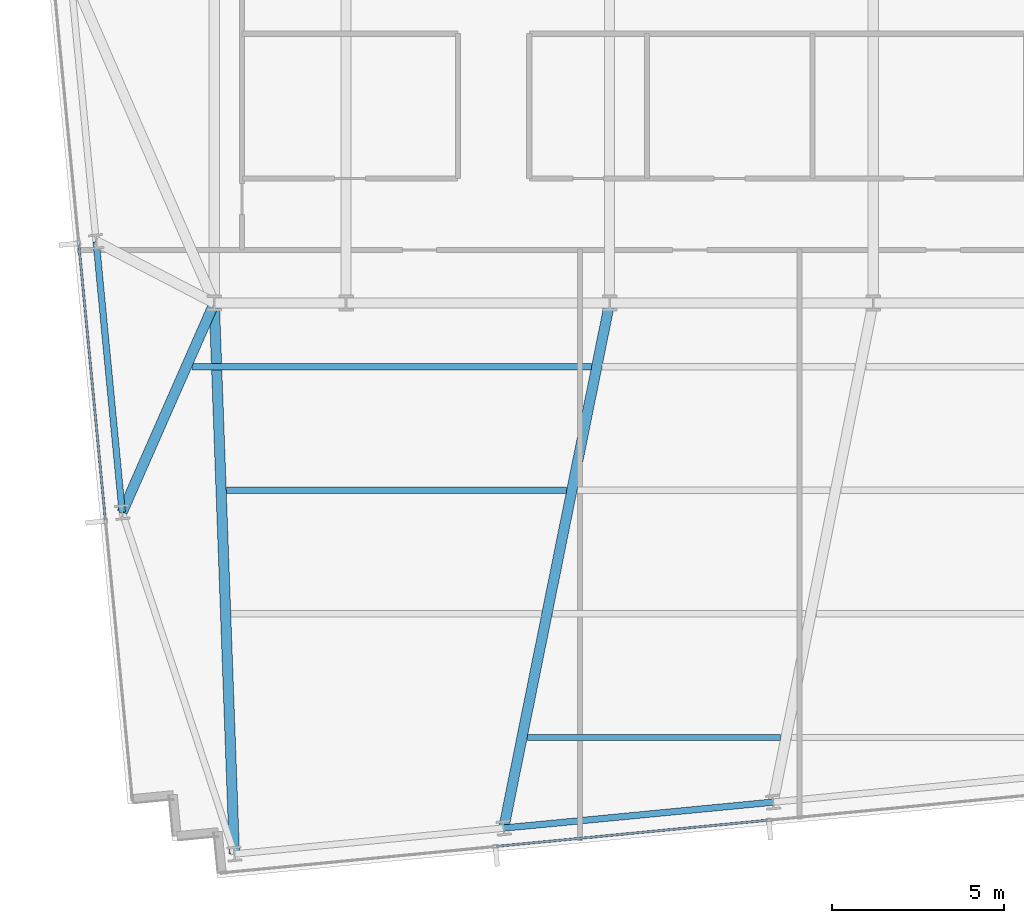
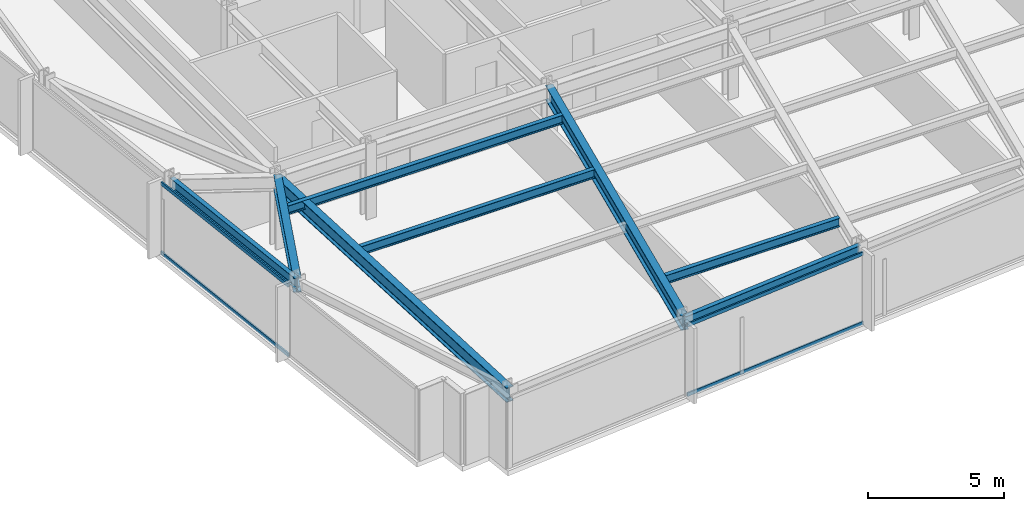
# One storey, part 3 of 33: 8 beams, 4 members, 2 elements without a shape of their own.
"""IFC4 building model written with IfcOpenShell, lengths in metres."""

from ifc_helpers import new_model, si_unit, direction, frame, origin, origin_2d, place, context, subcontext, project, spatial, hollow_rectangle, i_section, extrude, material, material_profile, profile_set, type_object, element, aggregate, save


model = new_model("IFC4")

# Units and contexts
model_context = context("Model", 3, precision=1e-05, world=origin(), true_north=direction((0.0, 1.0)))
body_context = subcontext(model_context, "Body", "Model", "MODEL_VIEW")
ifc_project = project(units=[si_unit("LENGTHUNIT", "METRE"), si_unit("AREAUNIT", "SQUARE_METRE"), si_unit("VOLUMEUNIT", "CUBIC_METRE"), si_unit("PLANEANGLEUNIT", "RADIAN"), si_unit("MASSUNIT", "GRAM", prefix="KILO")], contexts=[model_context])

# Site, building, storey
site_placement = place(None, origin())
site = spatial("IfcSite", under=ifc_project, at=site_placement, CompositionType="ELEMENT")
building_placement = place(site_placement, origin())
building = spatial("IfcBuilding", under=site, at=building_placement, Name="Yelkora Congress Tower", CompositionType="ELEMENT")
storey_placement = place(building_placement, frame((0.0, 0.0, 106.699951171875)))
storey = spatial("IfcBuildingStorey", under=building, at=storey_placement, Name="L28", CompositionType="ELEMENT", Elevation=106.699951171875)

# Beams
ifc_material_1 = material(Name="Steel S355J2", Category="steel")
ifc_material_profile_1 = material_profile(ifc_material_1, i_section(OverallWidth=0.300048828125, OverallDepth=0.64990234375, WebThickness=0.01611328125, FlangeThickness=0.031005859375, FilletRadius=0.027099609375, at=origin_2d()), Name="HEB 650")
ifc_profile_set_1 = profile_set([ifc_material_profile_1], Name="Steel S355J2")
beam_type_1 = type_object("IfcBeamType", Name="BM-GIRD-HEB650", PredefinedType="BEAM", material=ifc_profile_set_1)
beam_1_placement = place(storey_placement, frame((19.785888671875, 9.144287109375, 2.85498046875), z_axis=(-0.03646985294, 0.999334753637, 0.0), x_axis=(-0.999334753637, -0.03646985294, 0.0)))
element("IfcBeam", 1, at=beam_1_placement, inside=storey, type_object=beam_type_1, Name="L28 Primary Frame Girder S01", PredefinedType="BEAM", context=body_context, shape_type="SweptSolid", body=[
    extrude(i_section(OverallWidth=0.300048828125, OverallDepth=0.64990234375, WebThickness=0.01611328125, FlangeThickness=0.031005859375, FilletRadius=0.027099609375, at=origin_2d()), origin(), (0.0, 0.0, 1.0), 16.06640625),
])
beam_2_placement = place(storey_placement, frame((27.635498046875, 9.900146484375, 2.85498046875), z_axis=(0.197625995154, 0.980277494406, 0.0), x_axis=(-0.980277494406, 0.197625995154, 0.0)))
element("IfcBeam", 2, at=beam_2_placement, inside=storey, type_object=beam_type_1, Name="L28 Primary Frame Girder S02", PredefinedType="BEAM", context=body_context, shape_type="SweptSolid", body=[
    extrude(i_section(OverallWidth=0.300048828125, OverallDepth=0.64990234375, WebThickness=0.01611328125, FlangeThickness=0.031005859375, FilletRadius=0.027099609375, at=origin_2d()), origin(), (0.0, 0.0, 1.0), 15.607666015625),
])
beam_3_placement = place(storey_placement, frame((16.5166015625, 19.101806640625, 2.85498046875), z_axis=(0.402759490709, 0.915305846504, 0.0), x_axis=(-0.915305846504, 0.402759490709, 0.0)))
element("IfcBeam", 3, at=beam_3_placement, inside=storey, type_object=beam_type_1, Name="L28 Primary Frame Girder W01", PredefinedType="BEAM", context=body_context, shape_type="SweptSolid", body=[
    extrude(i_section(OverallWidth=0.300048828125, OverallDepth=0.64990234375, WebThickness=0.01611328125, FlangeThickness=0.031005859375, FilletRadius=0.027099609375, at=origin_2d()), origin(), (0.0, 0.0, 1.0), 6.662353515625),
])
ifc_material_profile_2 = material_profile(ifc_material_1, i_section(OverallWidth=0.179931640625, OverallDepth=0.39990234375, WebThickness=0.008544921875, FlangeThickness=0.013427734375, FilletRadius=0.02099609375, at=origin_2d()), Name="IPE 400")
ifc_profile_set_2 = profile_set([ifc_material_profile_2], Name="Steel S355J2")
beam_type_2 = type_object("IfcBeamType", Name="BM-JOIST-IPE400", PredefinedType="JOIST", material=ifc_profile_set_2)
beam_4_placement = place(storey_placement, frame((28.32861328125, 12.54443359375, 2.97998046875), z_axis=(1.0, 0.0, 0.0), x_axis=(0.0, 1.0, 0.0)))
element("IfcBeam", 4, at=beam_4_placement, inside=storey, type_object=beam_type_2, Name="L28 Composite Floor Joist 1", PredefinedType="JOIST", context=body_context, shape_type="SweptSolid", body=[
    extrude(i_section(OverallWidth=0.179931640625, OverallDepth=0.39990234375, WebThickness=0.008544921875, FlangeThickness=0.013427734375, FilletRadius=0.02099609375, at=origin_2d()), origin(), (0.0, 0.0, 1.0), 7.374755859375),
])
beam_5_placement = place(storey_placement, frame((19.55908203125, 19.744384765625, 2.97998046875), z_axis=(1.0, 0.0, 0.0), x_axis=(0.0, 1.0, 0.0)))
element("IfcBeam", 5, at=beam_5_placement, inside=storey, type_object=beam_type_2, Name="L28 Composite Floor Joist 11", PredefinedType="JOIST", context=body_context, shape_type="SweptSolid", body=[
    extrude(i_section(OverallWidth=0.179931640625, OverallDepth=0.39990234375, WebThickness=0.008544921875, FlangeThickness=0.013427734375, FilletRadius=0.02099609375, at=origin_2d()), origin(), (0.0, 0.0, 1.0), 9.901123046875),
])
beam_6_placement = place(storey_placement, frame((18.54345703125, 23.344482421875, 2.97998046875), z_axis=(1.0, 0.0, 0.0), x_axis=(0.0, 1.0, 0.0)))
element("IfcBeam", 6, at=beam_6_placement, inside=storey, type_object=beam_type_2, Name="L28 Composite Floor Joist 18", PredefinedType="JOIST", context=body_context, shape_type="SweptSolid", body=[
    extrude(i_section(OverallWidth=0.179931640625, OverallDepth=0.39990234375, WebThickness=0.008544921875, FlangeThickness=0.013427734375, FilletRadius=0.02099609375, at=origin_2d()), origin(), (0.0, 0.0, 1.0), 11.642333984375),
])
ifc_material_profile_3 = material_profile(ifc_material_1, i_section(OverallWidth=0.18994140625, OverallDepth=0.449951171875, WebThickness=0.009521484375, FlangeThickness=0.0146484375, FilletRadius=0.02099609375, at=origin_2d()), Name="IPE 450")
ifc_profile_set_3 = profile_set([ifc_material_profile_3], Name="Steel S355J2")
beam_type_3 = type_object("IfcBeamType", Name="BM-SPAN-IPE450", PredefinedType="SPANDREL", material=ifc_profile_set_3)
beam_7_placement = place(storey_placement, frame((15.757080078125, 26.990478515625, 2.955078125), z_axis=(0.09583684824, -0.995397055712, 0.0), x_axis=(0.995397055712, 0.09583684824, 0.0)))
element("IfcBeam", 7, at=beam_7_placement, inside=storey, type_object=beam_type_3, Name="L28 Perimeter Beam 1", PredefinedType="SPANDREL", context=body_context, shape_type="SweptSolid", body=[
    extrude(i_section(OverallWidth=0.18994140625, OverallDepth=0.449951171875, WebThickness=0.009521484375, FlangeThickness=0.0146484375, FilletRadius=0.02099609375, at=origin_2d()), origin(), (0.0, 0.0, 1.0), 7.925048828125),
])
beam_8_placement = place(storey_placement, frame((27.635498046875, 9.900146484375, 2.955078125), z_axis=(0.995395575667, 0.095852219286, 0.0), x_axis=(-0.095852219286, 0.995395575667, 0.0)))
element("IfcBeam", 8, at=beam_8_placement, inside=storey, type_object=beam_type_3, Name="L28 Perimeter Beam 4", PredefinedType="SPANDREL", context=body_context, shape_type="SweptSolid", body=[
    extrude(i_section(OverallWidth=0.18994140625, OverallDepth=0.449951171875, WebThickness=0.009521484375, FlangeThickness=0.0146484375, FilletRadius=0.02099609375, at=origin_2d()), origin(), (0.0, 0.0, 1.0), 7.8857421875),
])

# Curtain wall, members
ifc_material_2 = material(Name="Anodised aluminium and insulated glass", Category="aluminium")
curtain_wall_type = type_object("IfcCurtainWallType", Name="CW-SYS-B2", PredefinedType="NOTDEFINED", material=ifc_material_2)
curtain_wall_1_placement = place(storey_placement, origin())
curtain_wall_1 = element("IfcCurtainWall", 9, at=curtain_wall_1_placement, inside=storey, type_object=curtain_wall_type, Name="L28 Unitised Curtain Wall 5", PredefinedType="NOTDEFINED")
ifc_material_3 = material(Name="Anodised aluminium 6063-T6", Category="aluminium")
ifc_material_profile_4 = material_profile(ifc_material_3, hollow_rectangle(XDim=0.06494140625, YDim=0.159912109375, WallThickness=0.00390625, at=origin_2d()), Name="ALU 65x160x4")
ifc_profile_set_4 = profile_set([ifc_material_profile_4], Name="Anodised aluminium 6063-T6")
member_type = type_object("IfcMemberType", Name="MEM-TR-B2", PredefinedType="USERDEFINED", material=ifc_profile_set_4)
member_1_placement = place(storey_placement, frame((16.025146484375, 18.8837890625, 0.032470703125), z_axis=(-0.095838228465, 0.995396922823, 0.0), x_axis=(-0.995396922823, -0.095838228465, 0.0)))
member_1 = element("IfcMember", 10, at=member_1_placement, type_object=member_type, Name="CW-B2 transom 2.1", ObjectType="TRANSOM", PredefinedType="USERDEFINED", context=body_context, shape_type="SweptSolid", body=[
    extrude(hollow_rectangle(XDim=0.06494140625, YDim=0.159912109375, WallThickness=0.00390625, at=origin_2d()), origin(), (0.0, 0.0, 1.0), 8.06005859375),
])
member_2_placement = place(storey_placement, frame((16.025146484375, 18.8837890625, 3.1474609375), z_axis=(-0.095838228465, 0.995396922823, 0.0), x_axis=(-0.995396922823, -0.095838228465, 0.0)))
member_2 = element("IfcMember", 11, at=member_2_placement, type_object=member_type, Name="CW-B2 transom 2.2", ObjectType="TRANSOM", PredefinedType="USERDEFINED", context=body_context, shape_type="SweptSolid", body=[
    extrude(hollow_rectangle(XDim=0.06494140625, YDim=0.159912109375, WallThickness=0.00390625, at=origin_2d()), origin(), (0.0, 0.0, 1.0), 8.06005859375),
])
aggregate(curtain_wall_1, [member_1, member_2])

curtain_wall_2_placement = place(storey_placement, origin())
curtain_wall_2 = element("IfcCurtainWall", 12, at=curtain_wall_2_placement, inside=storey, type_object=curtain_wall_type, Name="L28 Unitised Curtain Wall 20", PredefinedType="NOTDEFINED")
member_3_placement = place(storey_placement, frame((35.323974609375, 10.128173828125, 0.032470703125), z_axis=(-0.995397293396, -0.095834379534, 0.0), x_axis=(0.095834379534, -0.995397293396, 0.0)))
member_3 = element("IfcMember", 13, at=member_3_placement, type_object=member_type, Name="CW-B2 transom 6.1", ObjectType="TRANSOM", PredefinedType="USERDEFINED", context=body_context, shape_type="SweptSolid", body=[
    extrude(hollow_rectangle(XDim=0.06494140625, YDim=0.159912109375, WallThickness=0.00390625, at=origin_2d()), origin(), (0.0, 0.0, 1.0), 7.93310546875),
])
member_4_placement = place(storey_placement, frame((35.323974609375, 10.128173828125, 3.1474609375), z_axis=(-0.995397293396, -0.095834379534, 0.0), x_axis=(0.095834379534, -0.995397293396, 0.0)))
member_4 = element("IfcMember", 14, at=member_4_placement, type_object=member_type, Name="CW-B2 transom 6.2", ObjectType="TRANSOM", PredefinedType="USERDEFINED", context=body_context, shape_type="SweptSolid", body=[
    extrude(hollow_rectangle(XDim=0.06494140625, YDim=0.159912109375, WallThickness=0.00390625, at=origin_2d()), origin(), (0.0, 0.0, 1.0), 7.93310546875),
])
aggregate(curtain_wall_2, [member_3, member_4])

save(model, "model.ifc")
